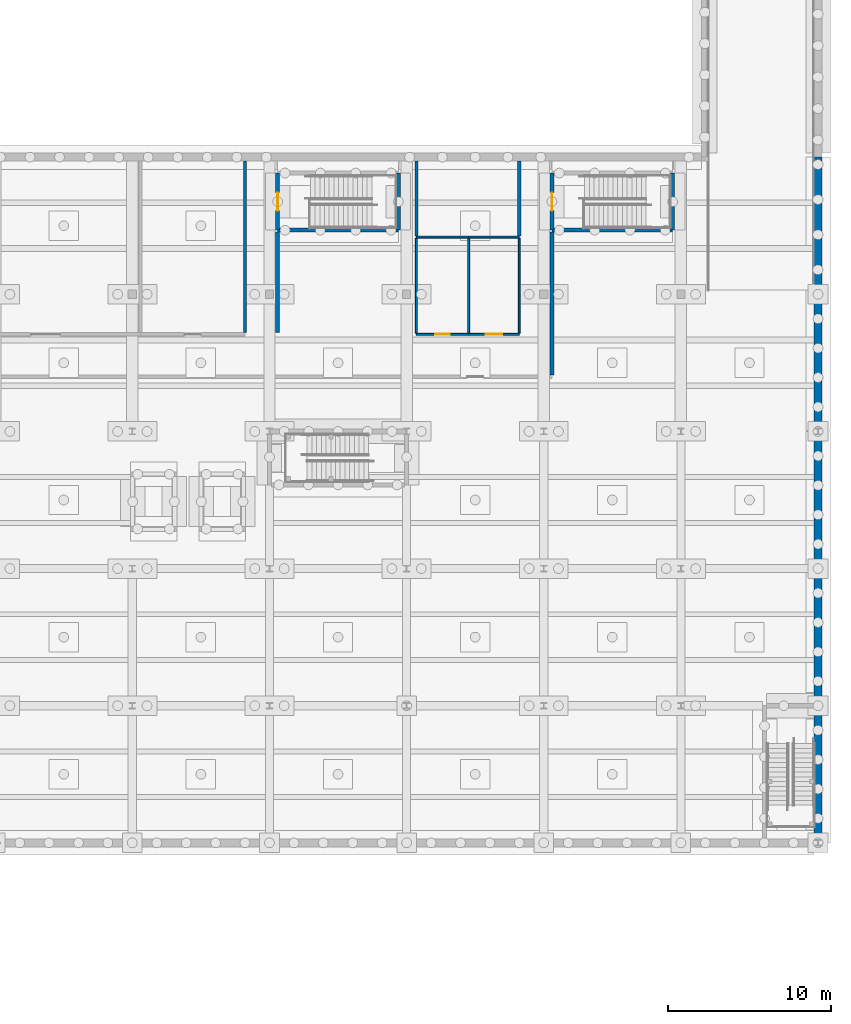
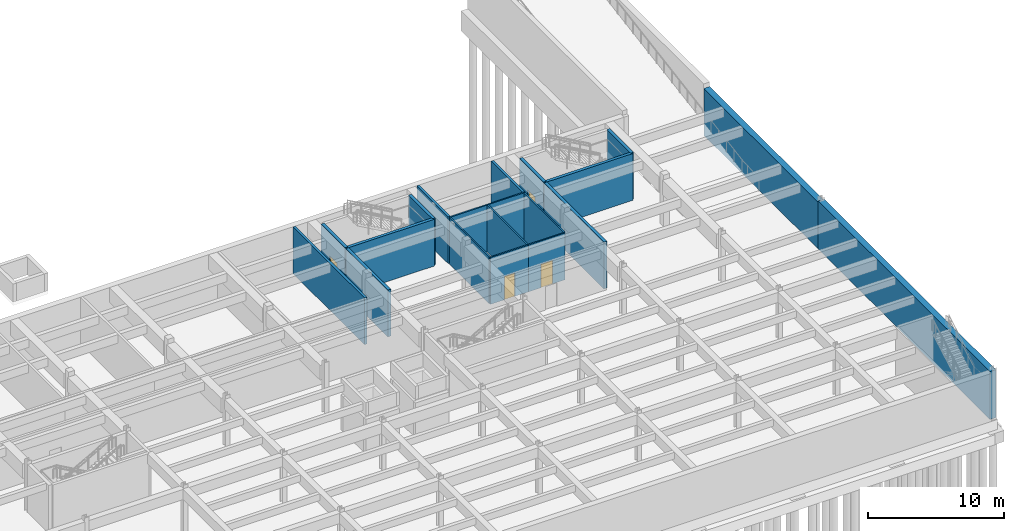
# One storey, part 25 of 33: 20 walls, 4 doors, 4 openings.
"""IFC4 building model written with IfcOpenShell, lengths in metres."""

from ifc_helpers import new_model, si_unit, direction, frame, frame_2d, origin, place, context, subcontext, project, spatial, rectangle, extrude, material, layer, layer_set, type_object, element, fill, save


model = new_model("IFC4")

# Units and contexts
model_context = context("Model", 3, precision=1e-05, world=origin(), true_north=direction((0.0, 1.0)))
body_context = subcontext(model_context, "Body", "Model", "MODEL_VIEW")
ifc_project = project(units=[si_unit("LENGTHUNIT", "METRE"), si_unit("AREAUNIT", "SQUARE_METRE"), si_unit("VOLUMEUNIT", "CUBIC_METRE"), si_unit("PLANEANGLEUNIT", "RADIAN"), si_unit("MASSUNIT", "GRAM", prefix="KILO")], contexts=[model_context])

# Site, building, storey
site_placement = place(None, origin())
site = spatial("IfcSite", under=ifc_project, at=site_placement, CompositionType="ELEMENT")
building_placement = place(site_placement, origin())
building = spatial("IfcBuilding", under=site, at=building_placement, Name="Ljudholm Concert House", CompositionType="ELEMENT")
storey_placement = place(building_placement, frame((0.0, 0.0, -4.60009765625)))
storey = spatial("IfcBuildingStorey", under=building, at=storey_placement, Name="B1", CompositionType="ELEMENT", Elevation=-4.60009765625)

# Wall, opening, door
ifc_material_1 = material(Name="Gypsum board on steel studs", Category="steel")
ifc_layer_1 = layer(ifc_material_1, 0.1201171875)
ifc_layer_set_1 = layer_set([ifc_layer_1], Name="Gypsum board on steel studs")
wall_type_1 = type_object("IfcWallType", Name="GYPSUM PARTITION 120", PredefinedType="PARTITIONING", material=ifc_layer_set_1)
wall_1_placement = place(storey_placement, frame((97.0, 135.949951171875, 0.0), z_axis=(0.0, 0.0, 1.0), x_axis=(1.0, 0.0, 0.0)))
wall_1 = element("IfcWall", 1, at=wall_1_placement, inside=storey, type_object=wall_type_1, Name="Partition", PredefinedType="PARTITIONING", context=body_context, shape_type="SweptSolid", body=[
    extrude(rectangle(XDim=3.199951171875, YDim=0.1201171875, at=frame_2d((1.60009765625, 0.0))), origin(), (0.0, 0.0, 1.0), 4.190185546875),
])
opening_1_placement = place(wall_1_placement, frame((1.14990234375, 0.0, 0.0)))
opening_1 = element("IfcOpeningElement", 2, at=opening_1_placement, cuts=wall_1, Name="Opening D-XB1-014", PredefinedType="OPENING", context=body_context, shape_type="SweptSolid", body=[
    extrude(rectangle(XDim=0.89990234375, YDim=2.10009765625, at=frame_2d((0.449951171875, 1.050048828125))), frame((0.0, 0.070068359375, 0.0), z_axis=(0.0, -1.0, 0.0), x_axis=(1.0, 0.0, 0.0)), (0.0, 0.0, 1.0), 0.14013671875),
])
ifc_material_2 = material(Name="Hollow metal door in steel frame", Category="steel")
door_type_1 = type_object("IfcDoorType", Name="SWING DOOR 900x2100", OperationType="SINGLE_SWING_LEFT", PredefinedType="DOOR", material=ifc_material_2)
door_1_placement = place(opening_1_placement, origin())
door_1 = element("IfcDoor", 3, at=door_1_placement, inside=storey, type_object=door_type_1, Name="Toilet door", OperationType="SINGLE_SWING_LEFT", OverallHeight=2.10009765625, OverallWidth=0.89990234375, PredefinedType="DOOR", context=body_context, shape_type="SweptSolid", body=[
    extrude(rectangle(XDim=0.89990234375, YDim=2.10009765625, at=frame_2d((0.449951171875, 1.050048828125))), frame((0.0, 0.02490234375, 0.0), z_axis=(0.0, -1.0, 0.0), x_axis=(1.0, 0.0, 0.0)), (0.0, 0.0, 1.0), 0.050048828125),
])
fill(opening_1, door_1)

# Walls
wall_2_placement = place(storey_placement, frame((97.0, 141.89990234375, 0.0), z_axis=(0.0, 0.0, 1.0), x_axis=(1.0, 0.0, 0.0)))
element("IfcWall", 4, at=wall_2_placement, inside=storey, type_object=wall_type_1, Name="Partition", PredefinedType="PARTITIONING", context=body_context, shape_type="SweptSolid", body=[
    extrude(rectangle(XDim=3.199951171875, YDim=0.1201171875, at=frame_2d((1.60009765625, 0.0))), origin(), (0.0, 0.0, 1.0), 4.190185546875),
])
for number, where, z_axis, x_axis, name in (
    (5, (97.0, 136.010009765625, 0.0), (0.0, 0.0, 1.0), (0.0, 1.0, 0.0), "Partition"),
    (6, (100.199951171875, 136.010009765625, 0.0), (0.0, 0.0, 1.0), (0.0, 1.0, 0.0), "Partition"),
):
    element("IfcWall", number, at=place(storey_placement, frame(where, z_axis=z_axis, x_axis=x_axis)), inside=storey, type_object=wall_type_1, Name=name, PredefinedType="PARTITIONING", context=body_context, shape_type="SweptSolid", body=[
        extrude(rectangle(XDim=5.830078125, YDim=0.1201171875, at=frame_2d((2.9150390625, 0.0))), origin(), (0.0, 0.0, 1.0), 4.190185546875),
    ])

# Wall, opening, door
wall_3_placement = place(storey_placement, frame((100.199951171875, 135.949951171875, 0.0), z_axis=(0.0, 0.0, 1.0), x_axis=(1.0, 0.0, 0.0)))
wall_3 = element("IfcWall", 7, at=wall_3_placement, inside=storey, type_object=wall_type_1, Name="Partition", PredefinedType="PARTITIONING", context=body_context, shape_type="SweptSolid", body=[
    extrude(rectangle(XDim=3.10009765625, YDim=0.1201171875, at=frame_2d((1.550048828125, 0.0))), origin(), (0.0, 0.0, 1.0), 4.190185546875),
])
opening_2_placement = place(wall_3_placement, frame((1.050048828125, 0.0, 0.0)))
opening_2 = element("IfcOpeningElement", 8, at=opening_2_placement, cuts=wall_3, Name="Opening D-XB1-015", PredefinedType="OPENING", context=body_context, shape_type="SweptSolid", body=[
    extrude(rectangle(XDim=1.0, YDim=2.10009765625, at=frame_2d((0.5, 1.050048828125))), frame((0.0, 0.070068359375, 0.0), z_axis=(0.0, -1.0, 0.0), x_axis=(1.0, 0.0, 0.0)), (0.0, 0.0, 1.0), 0.14013671875),
])
ifc_material_3 = material(Name="Hollow metal door in steel frame", Category="steel")
door_type_2 = type_object("IfcDoorType", Name="SWING DOOR 1000x2100", OperationType="SINGLE_SWING_LEFT", PredefinedType="DOOR", material=ifc_material_3)
door_2_placement = place(opening_2_placement, origin())
door_2 = element("IfcDoor", 9, at=door_2_placement, inside=storey, type_object=door_type_2, Name="Accessible WC door", OperationType="SINGLE_SWING_RIGHT", OverallHeight=2.10009765625, OverallWidth=1.0, PredefinedType="DOOR", context=body_context, shape_type="SweptSolid", body=[
    extrude(rectangle(XDim=1.0, YDim=2.10009765625, at=frame_2d((0.5, 1.050048828125))), frame((0.0, 0.02490234375, 0.0), z_axis=(0.0, -1.0, 0.0), x_axis=(1.0, 0.0, 0.0)), (0.0, 0.0, 1.0), 0.050048828125),
])
fill(opening_2, door_2)

# Walls
wall_4_placement = place(storey_placement, frame((100.199951171875, 141.89990234375, 0.0), z_axis=(0.0, 0.0, 1.0), x_axis=(1.0, 0.0, 0.0)))
element("IfcWall", 10, at=wall_4_placement, inside=storey, type_object=wall_type_1, Name="Partition", PredefinedType="PARTITIONING", context=body_context, shape_type="SweptSolid", body=[
    extrude(rectangle(XDim=3.10009765625, YDim=0.1201171875, at=frame_2d((1.550048828125, 0.0))), origin(), (0.0, 0.0, 1.0), 4.190185546875),
])
wall_5_placement = place(storey_placement, frame((103.300048828125, 136.010009765625, 0.0), z_axis=(0.0, 0.0, 1.0), x_axis=(0.0, 1.0, 0.0)))
element("IfcWall", 11, at=wall_5_placement, inside=storey, type_object=wall_type_1, Name="Partition", PredefinedType="PARTITIONING", context=body_context, shape_type="SweptSolid", body=[
    extrude(rectangle(XDim=5.830078125, YDim=0.1201171875, at=frame_2d((2.9150390625, 0.0))), origin(), (0.0, 0.0, 1.0), 4.190185546875),
])
ifc_material_4 = material(Name="Concrete masonry unit f'm 13.8 MPa", Category="masonry")
ifc_layer_2 = layer(ifc_material_4, 0.199951171875)
ifc_layer_set_2 = layer_set([ifc_layer_2], Name="Concrete masonry unit f'm 13.8 MPa")
wall_type_2 = type_object("IfcWallType", Name="MASONRY WALL 200", PredefinedType="SOLIDWALL", material=ifc_layer_set_2)
wall_6_placement = place(storey_placement, frame((86.5, 136.050048828125, 0.0), z_axis=(0.0, 0.0, 1.0), x_axis=(0.0, 1.0, 0.0)))
element("IfcWall", 12, at=wall_6_placement, inside=storey, type_object=wall_type_2, Name="Partition", PredefinedType="SOLIDWALL", context=body_context, shape_type="SweptSolid", body=[
    extrude(rectangle(XDim=10.5, YDim=0.199951171875, at=frame_2d((5.25, 0.0))), origin(), (0.0, 0.0, 1.0), 4.190185546875),
])
for number, where, z_axis, x_axis, name in (
    (13, (97.0, 141.9599609375, 0.0), (0.0, 0.0, 1.0), (0.0, 1.0, 0.0), "Partition"),
    (14, (103.300048828125, 141.9599609375, 0.0), (0.0, 0.0, 1.0), (0.0, 1.0, 0.0), "Partition"),
):
    element("IfcWall", number, at=place(storey_placement, frame(where, z_axis=z_axis, x_axis=x_axis)), inside=storey, type_object=wall_type_2, Name=name, PredefinedType="SOLIDWALL", context=body_context, shape_type="SweptSolid", body=[
        extrude(rectangle(XDim=4.590087890625, YDim=0.199951171875, at=frame_2d((2.294921875, 0.0))), origin(), (0.0, 0.0, 1.0), 4.190185546875),
    ])
ifc_material_5 = material(Name="Concrete masonry unit f'm 13.8 MPa", Category="masonry")
ifc_layer_3 = layer(ifc_material_5, 0.25)
ifc_layer_set_3 = layer_set([ifc_layer_3], Name="Concrete masonry unit f'm 13.8 MPa")
wall_type_3 = type_object("IfcWallType", Name="MASONRY WALL 250", PredefinedType="SOLIDWALL", material=ifc_layer_set_3)
wall_7_placement = place(storey_placement, frame((88.5, 136.050048828125, 0.0), z_axis=(0.0, 0.0, 1.0), x_axis=(0.0, 1.0, 0.0)))
element("IfcWall", 15, at=wall_7_placement, inside=storey, type_object=wall_type_3, Name="Partition", PredefinedType="SOLIDWALL", context=body_context, shape_type="SweptSolid", body=[
    extrude(rectangle(XDim=6.14990234375, YDim=0.25, at=frame_2d((3.074951171875, 0.0))), origin(), (0.0, 0.0, 1.0), 4.190185546875),
])
wall_8_placement = place(storey_placement, frame((105.300048828125, 133.449951171875, 0.0), z_axis=(0.0, 0.0, 1.0), x_axis=(0.0, 1.0, 0.0)))
element("IfcWall", 16, at=wall_8_placement, inside=storey, type_object=wall_type_3, Name="Partition", PredefinedType="SOLIDWALL", context=body_context, shape_type="SweptSolid", body=[
    extrude(rectangle(XDim=8.75, YDim=0.25, at=frame_2d((4.375, 0.0))), origin(), (0.0, 0.0, 1.0), 4.190185546875),
])
ifc_material_6 = material(Name="Concrete 6,500 psi", Category="concrete")
ifc_layer_4 = layer(ifc_material_6, 0.25)
ifc_layer_set_4 = layer_set([ifc_layer_4], Name="Concrete 6,500 psi")
wall_type_4 = type_object("IfcWallType", Name="RC WALL 250", PredefinedType="SOLIDWALL", material=ifc_layer_set_4)
wall_9_placement = place(storey_placement, frame((88.5, 142.324951171875, 0.0), z_axis=(0.0, 0.0, 1.0), x_axis=(1.0, 0.0, 0.0)))
element("IfcWall", 17, at=wall_9_placement, inside=storey, type_object=wall_type_4, Name="Stair enclosure wall", PredefinedType="SOLIDWALL", context=body_context, shape_type="SweptSolid", body=[
    extrude(rectangle(XDim=7.39501953125, YDim=0.25, at=frame_2d((3.697509765625, 0.0))), origin(), (0.0, 0.0, 1.0), 4.190185546875),
])

# Wall, opening, door
wall_10_placement = place(storey_placement, frame((88.5, 142.324951171875, 0.0), z_axis=(0.0, 0.0, 1.0), x_axis=(0.0, 1.0, 0.0)))
wall_10 = element("IfcWall", 18, at=wall_10_placement, inside=storey, type_object=wall_type_4, Name="Stair enclosure wall", PredefinedType="SOLIDWALL", context=body_context, shape_type="SweptSolid", body=[
    extrude(rectangle(XDim=3.5, YDim=0.25, at=frame_2d((1.75, 0.0))), origin(), (0.0, 0.0, 1.0), 4.190185546875),
])
opening_3_placement = place(wall_10_placement, frame((1.199951171875, 0.0, 0.0)))
opening_3 = element("IfcOpeningElement", 19, at=opening_3_placement, cuts=wall_10, Name="Opening D-XB1-003", PredefinedType="OPENING", context=body_context, shape_type="SweptSolid", body=[
    extrude(rectangle(XDim=1.10009765625, YDim=2.10009765625, at=frame_2d((0.550048828125, 1.050048828125))), frame((0.0, 0.135009765625, 0.0), z_axis=(0.0, -1.0, 0.0), x_axis=(1.0, 0.0, 0.0)), (0.0, 0.0, 1.0), 0.27001953125),
])
ifc_material_7 = material(Name="Hollow metal door in steel frame", Category="steel")
door_type_3 = type_object("IfcDoorType", Name="SWING DOOR 1100x2100", OperationType="SINGLE_SWING_LEFT", PredefinedType="DOOR", material=ifc_material_7)
door_3_placement = place(opening_3_placement, frame((1.10009765625, 0.0, 0.0), z_axis=(0.0, 0.0, 1.0), x_axis=(-1.0, 0.0, 0.0)))
door_3 = element("IfcDoor", 20, at=door_3_placement, inside=storey, type_object=door_type_3, Name="Stair door", OperationType="SINGLE_SWING_RIGHT", OverallHeight=2.10009765625, OverallWidth=1.10009765625, PredefinedType="DOOR", context=body_context, shape_type="SweptSolid", body=[
    extrude(rectangle(XDim=1.10009765625, YDim=2.10009765625, at=frame_2d((0.550048828125, 1.050048828125))), frame((0.0, 0.02490234375, 0.0), z_axis=(0.0, -1.0, 0.0), x_axis=(1.0, 0.0, 0.0)), (0.0, 0.0, 1.0), 0.050048828125),
])
fill(opening_3, door_3)

# Walls
wall_11_placement = place(storey_placement, frame((95.89501953125, 142.324951171875, 0.0), z_axis=(0.0, 0.0, 1.0), x_axis=(0.0, 1.0, 0.0)))
element("IfcWall", 21, at=wall_11_placement, inside=storey, type_object=wall_type_4, Name="Stair enclosure wall", PredefinedType="SOLIDWALL", context=body_context, shape_type="SweptSolid", body=[
    extrude(rectangle(XDim=3.5, YDim=0.25, at=frame_2d((1.75, 0.0))), origin(), (0.0, 0.0, 1.0), 4.190185546875),
])
wall_12_placement = place(storey_placement, frame((105.300048828125, 142.324951171875, 0.0), z_axis=(0.0, 0.0, 1.0), x_axis=(1.0, 0.0, 0.0)))
element("IfcWall", 22, at=wall_12_placement, inside=storey, type_object=wall_type_4, Name="Stair enclosure wall", PredefinedType="SOLIDWALL", context=body_context, shape_type="SweptSolid", body=[
    extrude(rectangle(XDim=7.39501953125, YDim=0.25, at=frame_2d((3.697509765625, 0.0))), origin(), (0.0, 0.0, 1.0), 4.190185546875),
])

# Wall, opening, door
wall_13_placement = place(storey_placement, frame((105.300048828125, 142.324951171875, 0.0), z_axis=(0.0, 0.0, 1.0), x_axis=(0.0, 1.0, 0.0)))
wall_13 = element("IfcWall", 23, at=wall_13_placement, inside=storey, type_object=wall_type_4, Name="Stair enclosure wall", PredefinedType="SOLIDWALL", context=body_context, shape_type="SweptSolid", body=[
    extrude(rectangle(XDim=3.5, YDim=0.25, at=frame_2d((1.75, 0.0))), origin(), (0.0, 0.0, 1.0), 4.190185546875),
])
opening_4_placement = place(wall_13_placement, frame((1.199951171875, 0.0, 0.0)))
opening_4 = element("IfcOpeningElement", 24, at=opening_4_placement, cuts=wall_13, Name="Opening D-XB1-004", PredefinedType="OPENING", context=body_context, shape_type="SweptSolid", body=[
    extrude(rectangle(XDim=1.10009765625, YDim=2.10009765625, at=frame_2d((0.550048828125, 1.050048828125))), frame((0.0, 0.135009765625, 0.0), z_axis=(0.0, -1.0, 0.0), x_axis=(1.0, 0.0, 0.0)), (0.0, 0.0, 1.0), 0.27001953125),
])
door_4_placement = place(opening_4_placement, frame((1.10009765625, 0.0, 0.0), z_axis=(0.0, 0.0, 1.0), x_axis=(-1.0, 0.0, 0.0)))
door_4 = element("IfcDoor", 25, at=door_4_placement, inside=storey, type_object=door_type_3, Name="Stair door", OperationType="SINGLE_SWING_RIGHT", OverallHeight=2.10009765625, OverallWidth=1.10009765625, PredefinedType="DOOR", context=body_context, shape_type="SweptSolid", body=[
    extrude(rectangle(XDim=1.10009765625, YDim=2.10009765625, at=frame_2d((0.550048828125, 1.050048828125))), frame((0.0, 0.02490234375, 0.0), z_axis=(0.0, -1.0, 0.0), x_axis=(1.0, 0.0, 0.0)), (0.0, 0.0, 1.0), 0.050048828125),
])
fill(opening_4, door_4)

# Walls
wall_14_placement = place(storey_placement, frame((112.695068359375, 142.324951171875, 0.0), z_axis=(0.0, 0.0, 1.0), x_axis=(0.0, 1.0, 0.0)))
element("IfcWall", 26, at=wall_14_placement, inside=storey, type_object=wall_type_4, Name="Stair enclosure wall", PredefinedType="SOLIDWALL", context=body_context, shape_type="SweptSolid", body=[
    extrude(rectangle(XDim=3.5, YDim=0.25, at=frame_2d((1.75, 0.0))), origin(), (0.0, 0.0, 1.0), 4.190185546875),
])
ifc_material_8 = material(Name="Concrete 6,500 psi", Category="concrete")
ifc_layer_5 = layer(ifc_material_8, 0.5)
ifc_layer_set_5 = layer_set([ifc_layer_5], Name="Concrete 6,500 psi")
wall_type_5 = type_object("IfcWallType", Name="RC WALL 500", PredefinedType="SOLIDWALL", material=ifc_layer_set_5)
wall_15_placement = place(storey_placement, frame((121.60009765625, 104.800048828125, 0.0), z_axis=(0.0, 0.0, 1.0), x_axis=(0.0, 1.0, 0.0)))
element("IfcWall", 27, at=wall_15_placement, inside=storey, type_object=wall_type_5, Name="Basement wall", PredefinedType="SOLIDWALL", context=body_context, shape_type="SweptSolid", body=[
    extrude(rectangle(XDim=25.199951171875, YDim=0.5, at=frame_2d((12.60009765625, 0.0))), origin(), (0.0, 0.0, 1.0), 4.300048828125),
])
wall_16_placement = place(storey_placement, frame((121.60009765625, 130.0, 0.0), z_axis=(0.0, 0.0, 1.0), x_axis=(0.0, 1.0, 0.0)))
element("IfcWall", 28, at=wall_16_placement, inside=storey, type_object=wall_type_5, Name="Basement wall", PredefinedType="SOLIDWALL", context=body_context, shape_type="SweptSolid", body=[
    extrude(rectangle(XDim=16.800048828125, YDim=0.5, at=frame_2d((8.39990234375, 0.0))), origin(), (0.0, 0.0, 1.0), 4.190185546875),
])

save(model, "model.ifc")
